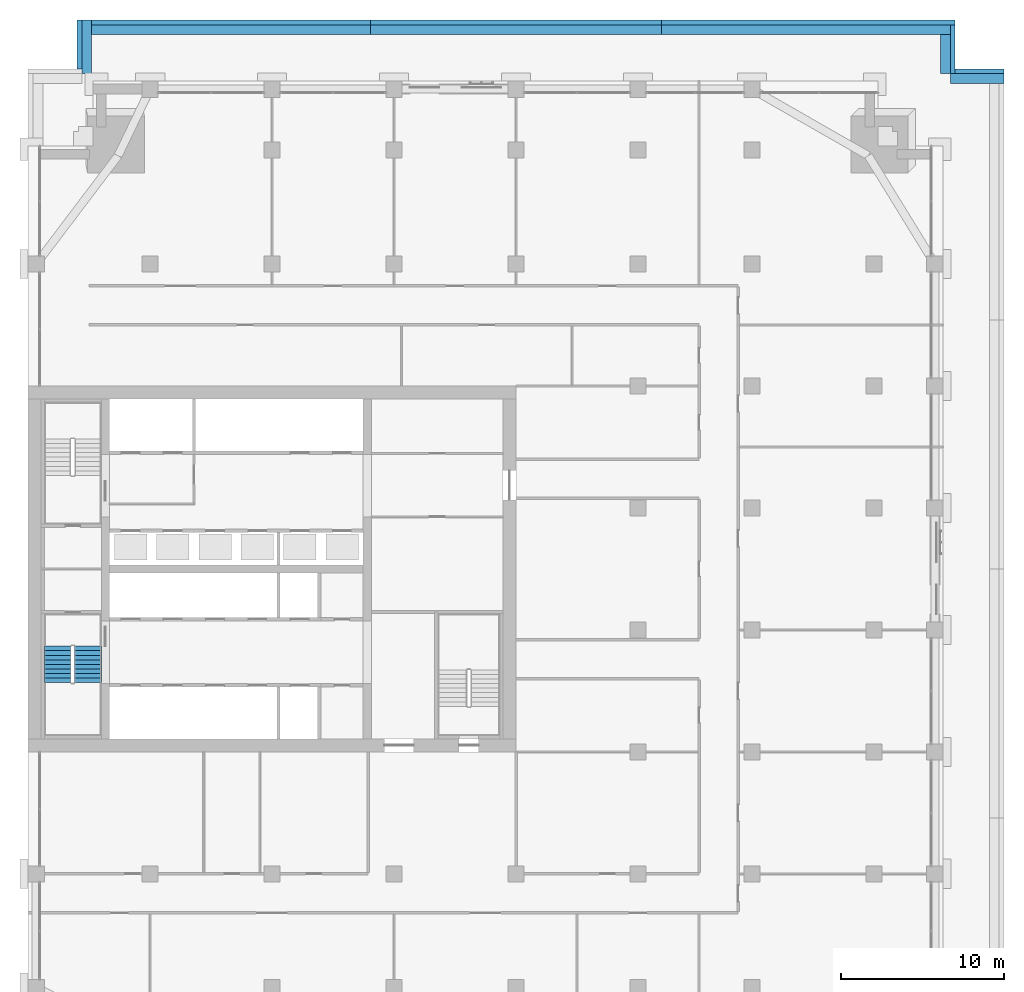
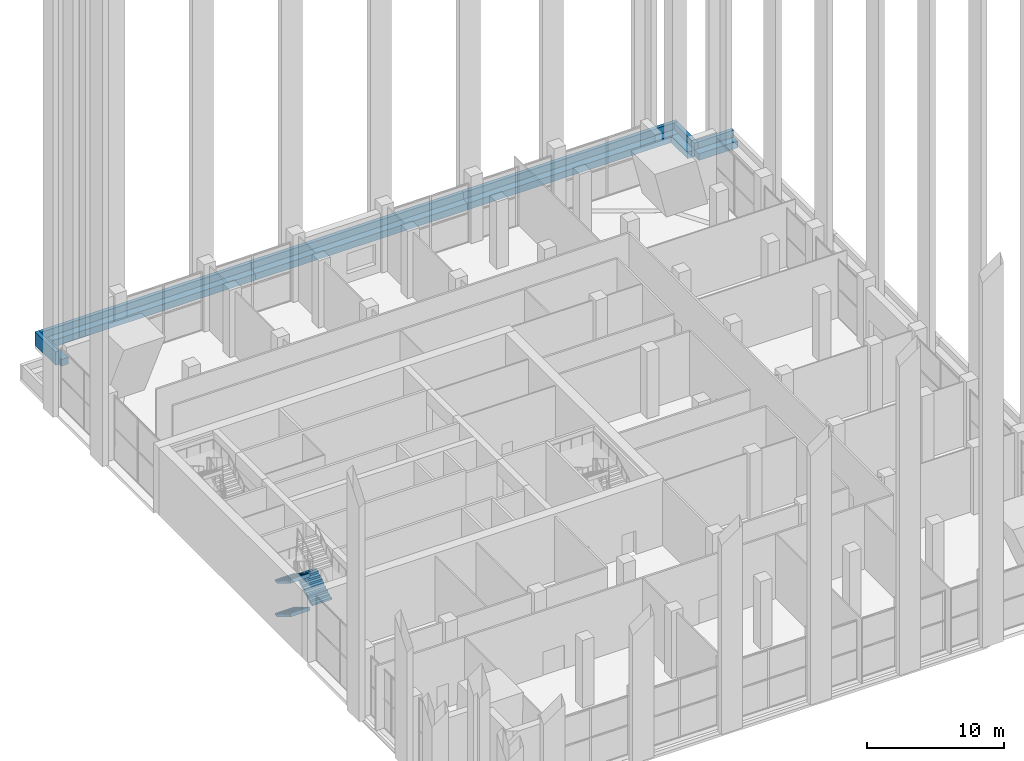
# One storey, part 16 of 23: 12 walls, 3 stair flights, 1 element without a shape of its own.
"""IFC4 building model written with IfcOpenShell, lengths in metres."""

from ifc_helpers import new_model, si_unit, direction, frame, frame_2d, origin, place, context, subcontext, project, spatial, polyline, rectangle, outline, extrude, material, layer, layer_set, type_object, element, aggregate, save


model = new_model("IFC4")

# Units and contexts
model_context = context("Model", 3, precision=1e-05, world=origin(), true_north=direction((0.0, 1.0)))
body_context = subcontext(model_context, "Body", "Model", "MODEL_VIEW")
ifc_project = project(units=[si_unit("LENGTHUNIT", "METRE"), si_unit("AREAUNIT", "SQUARE_METRE"), si_unit("VOLUMEUNIT", "CUBIC_METRE"), si_unit("PLANEANGLEUNIT", "RADIAN"), si_unit("MASSUNIT", "GRAM", prefix="KILO")], contexts=[model_context])

# Site, building, storey
site_placement = place(None, origin())
site = spatial("IfcSite", under=ifc_project, at=site_placement, CompositionType="ELEMENT")
building_placement = place(site_placement, origin())
building = spatial("IfcBuilding", under=site, at=building_placement, Name="Tamorin Gate", CompositionType="ELEMENT")
storey_placement = place(building_placement, frame((0.0, 0.0, 124.199951171875)))
storey = spatial("IfcBuildingStorey", under=building, at=storey_placement, Name="L30", CompositionType="ELEMENT", Elevation=124.199951171875)

# Walls
ifc_material_1 = material(Name="Precast concrete C40/50", Category="concrete")
ifc_layer_1 = layer(ifc_material_1, 0.300048828125)
ifc_layer_set_1 = layer_set([ifc_layer_1], Name="Terrace parapet 300")
wall_type_1 = type_object("IfcWallType", Name="Terrace parapet 300", PredefinedType="PARAPET", material=ifc_layer_set_1)
wall_1_placement = place(storey_placement, frame((33.14990234375, 105.0, 0.0), z_axis=(0.0, 0.0, 1.0), x_axis=(0.0, -1.0, 0.0)))
element("IfcWall", 1, at=wall_1_placement, inside=storey, type_object=wall_type_1, Name="Terrace parapet", PredefinedType="PARAPET", context=body_context, shape_type="SweptSolid", body=[
    extrude(rectangle(XDim=3.0, YDim=0.300048828125, at=frame_2d((1.5, 0.0))), origin(), (0.0, 0.0, 1.0), 1.199951171875),
])
wall_2_placement = place(storey_placement, frame((33.300048828125, 104.85009765625, 0.0), z_axis=(0.0, 0.0, 1.0), x_axis=(1.0, 0.0, 0.0)))
element("IfcWall", 2, at=wall_2_placement, inside=storey, type_object=wall_type_1, Name="Terrace parapet", PredefinedType="PARAPET", context=body_context, shape_type="SweptSolid", body=[
    extrude(rectangle(XDim=17.75, YDim=0.300048828125, at=frame_2d((8.875, 0.0))), origin(), (0.0, 0.0, 1.0), 1.199951171875),
])
wall_3_placement = place(storey_placement, frame((51.050048828125, 104.85009765625, 0.0), z_axis=(0.0, 0.0, 1.0), x_axis=(1.0, 0.0, 0.0)))
element("IfcWall", 3, at=wall_3_placement, inside=storey, type_object=wall_type_1, Name="Terrace parapet", PredefinedType="PARAPET", context=body_context, shape_type="SweptSolid", body=[
    extrude(rectangle(XDim=17.89990234375, YDim=0.300048828125, at=frame_2d((8.949951171875, 0.0))), origin(), (0.0, 0.0, 1.0), 1.199951171875),
])
wall_4_placement = place(storey_placement, frame((68.949951171875, 104.85009765625, 0.0), z_axis=(0.0, 0.0, 1.0), x_axis=(1.0, 0.0, 0.0)))
element("IfcWall", 4, at=wall_4_placement, inside=storey, type_object=wall_type_1, Name="Terrace parapet", PredefinedType="PARAPET", context=body_context, shape_type="SweptSolid", body=[
    extrude(rectangle(XDim=18.050048828125, YDim=0.300048828125, at=frame_2d((9.02490234375, 0.0))), origin(), (0.0, 0.0, 1.0), 1.199951171875),
])
for number, where, z_axis, x_axis, name in (
    (5, (86.85009765625, 101.699951171875, 0.0), (0.0, 0.0, 1.0), (0.0, 1.0, 0.0), "Terrace parapet"),
    (6, (87.0, 101.85009765625, 0.0), (0.0, 0.0, 1.0), (1.0, 0.0, 0.0), "Terrace parapet"),
):
    element("IfcWall", number, at=place(storey_placement, frame(where, z_axis=z_axis, x_axis=x_axis)), inside=storey, type_object=wall_type_1, Name=name, PredefinedType="PARAPET", context=body_context, shape_type="SweptSolid", body=[
        extrude(rectangle(XDim=3.0, YDim=0.300048828125, at=frame_2d((1.5, 0.0))), origin(), (0.0, 0.0, 1.0), 1.199951171875),
    ])
ifc_layer_2 = layer(ifc_material_1, 0.60009765625)
ifc_layer_set_2 = layer_set([ifc_layer_2], Name="Terrace planter wall 600")
wall_type_2 = type_object("IfcWallType", Name="Terrace planter wall 600", PredefinedType="STANDARD", material=ifc_layer_set_2)
wall_5_placement = place(storey_placement, frame((33.60009765625, 101.699951171875, 0.0), z_axis=(0.0, 0.0, 1.0), x_axis=(0.0, 1.0, 0.0)))
element("IfcWall", 7, at=wall_5_placement, inside=storey, type_object=wall_type_2, Name="PLANTER wall", PredefinedType="STANDARD", context=body_context, shape_type="SweptSolid", body=[
    extrude(rectangle(XDim=3.300048828125, YDim=0.60009765625, at=frame_2d((1.64990234375, 0.0))), origin(), (0.0, 0.0, 1.0), 0.60009765625),
])
wall_6_placement = place(storey_placement, frame((33.89990234375, 104.39990234375, 0.0), z_axis=(0.0, 0.0, 1.0), x_axis=(1.0, 0.0, 0.0)))
element("IfcWall", 8, at=wall_6_placement, inside=storey, type_object=wall_type_2, Name="PLANTER wall", PredefinedType="STANDARD", context=body_context, shape_type="SweptSolid", body=[
    extrude(rectangle(XDim=17.150146484375, YDim=0.60009765625, at=frame_2d((8.5751953125, 0.0))), origin(), (0.0, 0.0, 1.0), 0.60009765625),
])
wall_7_placement = place(storey_placement, frame((51.050048828125, 104.39990234375, 0.0), z_axis=(0.0, 0.0, 1.0), x_axis=(1.0, 0.0, 0.0)))
element("IfcWall", 9, at=wall_7_placement, inside=storey, type_object=wall_type_2, Name="PLANTER wall", PredefinedType="STANDARD", context=body_context, shape_type="SweptSolid", body=[
    extrude(rectangle(XDim=17.89990234375, YDim=0.60009765625, at=frame_2d((8.949951171875, 0.0))), origin(), (0.0, 0.0, 1.0), 0.60009765625),
])
wall_8_placement = place(storey_placement, frame((68.949951171875, 104.39990234375, 0.0), z_axis=(0.0, 0.0, 1.0), x_axis=(1.0, 0.0, 0.0)))
element("IfcWall", 10, at=wall_8_placement, inside=storey, type_object=wall_type_2, Name="PLANTER wall", PredefinedType="STANDARD", context=body_context, shape_type="SweptSolid", body=[
    extrude(rectangle(XDim=18.050048828125, YDim=0.60009765625, at=frame_2d((9.02490234375, 0.0))), origin(), (0.0, 0.0, 1.0), 0.60009765625),
])
wall_9_placement = place(storey_placement, frame((86.39990234375, 101.699951171875, 0.0), z_axis=(0.0, 0.0, 1.0), x_axis=(0.0, 1.0, 0.0)))
element("IfcWall", 11, at=wall_9_placement, inside=storey, type_object=wall_type_2, Name="PLANTER wall", PredefinedType="STANDARD", context=body_context, shape_type="SweptSolid", body=[
    extrude(rectangle(XDim=2.400146484375, YDim=0.60009765625, at=frame_2d((1.2001953125, 0.0))), origin(), (0.0, 0.0, 1.0), 0.60009765625),
])
wall_10_placement = place(storey_placement, frame((86.699951171875, 101.39990234375, 0.0), z_axis=(0.0, 0.0, 1.0), x_axis=(1.0, 0.0, 0.0)))
element("IfcWall", 12, at=wall_10_placement, inside=storey, type_object=wall_type_2, Name="PLANTER wall", PredefinedType="STANDARD", context=body_context, shape_type="SweptSolid", body=[
    extrude(rectangle(XDim=3.300048828125, YDim=0.60009765625, at=frame_2d((1.64990234375, 0.0))), origin(), (0.0, 0.0, 1.0), 0.60009765625),
])

# Stair, stair flights
ifc_material_2 = material(Name="Concrete C40/50", Category="concrete")
stair_type = type_object("IfcStairType", Name="Exit stair", PredefinedType="HALF_TURN_STAIR", material=ifc_material_2)
stair_placement = place(storey_placement, origin())
stair = element("IfcStair", 13, at=stair_placement, inside=storey, type_object=stair_type, Name="L30 stair ST1", PredefinedType="HALF_TURN_STAIR")
stair_flight_type = type_object("IfcStairFlightType", Name="Exit stair flight", PredefinedType="STRAIGHT", material=ifc_material_2)
stair_flight_1_placement = place(storey_placement, frame((31.824951171875, 66.5, 0.0), z_axis=(0.0, 0.0, 1.0), x_axis=(0.0, -1.0, 0.0)))
stair_flight_1 = element("IfcStairFlight", 14, at=stair_flight_1_placement, type_object=stair_flight_type, Name="ST1 flight 1", NumberOfRisers=9, NumberOfTreads=8, PredefinedType="STRAIGHT", RiserHeight=0.166666667, TreadLength=0.28, context=body_context, shape_type="SweptSolid", body=[
    extrude(outline(polyline([(-0.00048828125, 0.0), (-0.00048828125, 0.001708984375), (-0.00048828125, 0.00341796875), (-0.00048828125, 0.0048828125), (-0.00048828125, 0.006591796875), (-0.00048828125, 0.00830078125), (-0.00048828125, 0.010009765625), (-0.00048828125, 0.011474609375), (-0.00048828125, 0.01318359375), (-0.00048828125, 0.014892578125), (-0.00048828125, 0.0166015625), (-0.00048828125, 0.01806640625), (-0.00048828125, 0.019775390625), (-0.00048828125, 0.021484375), (-0.00048828125, 0.023193359375), (-0.00048828125, 0.024658203125), (-0.00048828125, 0.0263671875), (-0.00048828125, 0.028076171875), (-0.00048828125, 0.02978515625), (-0.00048828125, 0.03125), (-0.00048828125, 0.032958984375), (-0.00048828125, 0.03466796875), (-0.00048828125, 0.036376953125), (-0.00048828125, 0.037841796875), (-0.00048828125, 0.03955078125), (-0.00048828125, 0.041259765625), (-0.00048828125, 0.04296875), (-0.00048828125, 0.04443359375), (-0.00048828125, 0.046142578125), (-0.00048828125, 0.0478515625), (-0.00048828125, 0.049560546875), (-0.00048828125, 0.05126953125), (-0.00048828125, 0.052734375), (-0.00048828125, 0.054443359375), (-0.00048828125, 0.05615234375), (-0.00048828125, 0.057861328125), (-0.00048828125, 0.059326171875), (-0.00048828125, 0.06103515625), (-0.00048828125, 0.062744140625), (-0.00048828125, 0.064453125), (-0.00048828125, 0.06591796875), (-0.00048828125, 0.067626953125), (-0.00048828125, 0.0693359375), (-0.00048828125, 0.071044921875), (-0.00048828125, 0.072509765625), (-0.00048828125, 0.07421875), (-0.00048828125, 0.075927734375), (-0.00048828125, 0.07763671875), (-0.00048828125, 0.0791015625), (-0.00048828125, 0.080810546875), (-0.00048828125, 0.08251953125), (-0.00048828125, 0.084228515625), (-0.00048828125, 0.085693359375), (-0.00048828125, 0.08740234375), (-0.00048828125, 0.089111328125), (-0.00048828125, 0.0908203125), (-0.00048828125, 0.092529296875), (-0.00048828125, 0.093994140625), (-0.00048828125, 0.095703125), (-0.00048828125, 0.097412109375), (-0.00048828125, 0.09912109375), (-0.00048828125, 0.1005859375), (-0.00048828125, 0.102294921875), (-0.00048828125, 0.10400390625), (-0.00048828125, 0.105712890625), (-0.00048828125, 0.107177734375), (-0.00048828125, 0.10888671875), (-0.00048828125, 0.110595703125), (-0.00048828125, 0.1123046875), (-0.00048828125, 0.11376953125), (-0.00048828125, 0.115478515625), (-0.00048828125, 0.1171875), (-0.00048828125, 0.118896484375), (-0.00048828125, 0.120361328125), (-0.00048828125, 0.1220703125), (-0.00048828125, 0.123779296875), (-0.00048828125, 0.12548828125), (-0.00048828125, 0.126953125), (-0.00048828125, 0.128662109375), (-0.00048828125, 0.13037109375), (-0.00048828125, 0.132080078125), (-0.00048828125, 0.133544921875), (-0.00048828125, 0.13525390625), (-0.00048828125, 0.136962890625), (-0.00048828125, 0.138671875), (-0.00048828125, 0.140380859375), (-0.00048828125, 0.141845703125), (-0.00048828125, 0.1435546875), (-0.00048828125, 0.145263671875), (-0.00048828125, 0.14697265625), (-0.00048828125, 0.1484375), (-0.00048828125, 0.150146484375), (-0.00048828125, 0.15185546875), (-0.00048828125, 0.153564453125), (-0.00048828125, 0.155029296875), (-0.00048828125, 0.15673828125), (-0.00048828125, 0.158447265625), (-0.00048828125, 0.16015625), (-0.00048828125, 0.16162109375), (-0.00048828125, 0.163330078125), (-0.00048828125, 0.1650390625), (-0.00048828125, 0.166748046875), (0.280029296875, 0.166748046875), (0.280029296875, 0.333251953125), (0.56005859375, 0.333251953125), (0.56005859375, 0.5), (0.840087890625, 0.5), (0.840087890625, 0.666748046875), (1.1201171875, 0.666748046875), (1.1201171875, 0.833251953125), (1.39990234375, 0.833251953125), (1.39990234375, 1.0), (1.679931640625, 1.0), (1.679931640625, 1.166748046875), (1.9599609375, 1.166748046875), (1.9599609375, 1.333251953125), (2.239990234375, 1.333251953125), (2.239990234375, 1.5), (2.240478515625, 1.5), (2.240478515625, 1.49658203125), (2.240478515625, 1.4931640625), (2.240478515625, 1.48974609375), (2.240478515625, 1.486572265625), (2.240478515625, 1.483154296875), (2.240478515625, 1.479736328125), (2.240478515625, 1.476318359375), (2.240478515625, 1.472900390625), (2.240478515625, 1.469482421875), (2.240478515625, 1.46630859375), (2.240478515625, 1.462890625), (2.240478515625, 1.45947265625), (2.240478515625, 1.4560546875), (2.240478515625, 1.45263671875), (2.240478515625, 1.44921875), (2.240478515625, 1.446044921875), (2.240478515625, 1.442626953125), (2.240478515625, 1.439208984375), (2.240478515625, 1.435791015625), (2.240478515625, 1.432373046875), (2.240478515625, 1.428955078125), (2.240478515625, 1.42578125), (2.240478515625, 1.42236328125), (2.240478515625, 1.4189453125), (2.240478515625, 1.41552734375), (2.240478515625, 1.412109375), (2.240478515625, 1.40869140625), (2.240478515625, 1.405517578125), (2.240478515625, 1.402099609375), (2.240478515625, 1.398681640625), (2.240478515625, 1.395263671875), (2.240478515625, 1.391845703125), (2.240478515625, 1.388427734375), (2.240478515625, 1.38525390625), (2.240478515625, 1.3818359375), (2.240478515625, 1.37841796875), (2.240478515625, 1.375), (2.240478515625, 1.37158203125), (2.240478515625, 1.3681640625), (2.240478515625, 1.364990234375), (2.240478515625, 1.361572265625), (2.240478515625, 1.358154296875), (2.240478515625, 1.354736328125), (2.240478515625, 1.351318359375), (2.240478515625, 1.347900390625), (2.240478515625, 1.3447265625), (2.240478515625, 1.34130859375), (2.240478515625, 1.337890625), (2.240478515625, 1.33447265625), (2.240478515625, 1.3310546875), (2.240478515625, 1.32763671875), (2.240478515625, 1.324462890625), (2.240478515625, 1.321044921875), (2.240478515625, 1.317626953125), (2.240478515625, 1.314208984375), (2.240478515625, 1.310791015625), (2.240478515625, 1.307373046875), (2.240478515625, 1.30419921875), (2.240478515625, 1.30078125), (2.240478515625, 1.29736328125), (2.240478515625, 1.2939453125), (2.240478515625, 1.29052734375), (2.240478515625, 1.287109375), (2.240478515625, 1.283935546875), (2.240478515625, 1.280517578125), (2.240478515625, 1.277099609375), (2.240478515625, 1.273681640625), (2.240478515625, 1.270263671875), (2.240478515625, 1.266845703125), (2.240478515625, 1.263671875), (2.240478515625, 1.26025390625), (2.240478515625, 1.2568359375), (2.240478515625, 1.25341796875), (2.240478515625, 1.25), (2.240478515625, 1.24658203125), (2.240478515625, 1.243408203125), (2.240478515625, 1.239990234375), (2.240478515625, 1.236572265625), (2.240478515625, 1.233154296875), (2.240478515625, 1.229736328125), (2.240478515625, 1.226318359375), (2.240478515625, 1.22314453125), (2.240478515625, 1.2197265625), (2.240478515625, 1.21630859375), (2.240478515625, 1.212890625), (2.240478515625, 1.20947265625), (2.240478515625, 1.2060546875), (2.240478515625, 1.202880859375), (2.240478515625, 1.199462890625), (2.240478515625, 1.196044921875), (2.240478515625, 1.192626953125), (2.240478515625, 1.189208984375), (2.240478515625, 1.185791015625), (2.240478515625, 1.1826171875), (2.240478515625, 1.17919921875), (2.240478515625, 1.17578125), (2.240478515625, 1.17236328125), (2.240478515625, 1.1689453125), (2.240478515625, 1.16552734375), (2.240478515625, 1.162353515625), (2.240478515625, 1.158935546875), (2.239990234375, 1.158935546875), (0.29296875, 0.0), (-0.00048828125, 0.0)])), frame((0.0, 0.824951171875, 0.0), z_axis=(0.0, -1.0, 0.0), x_axis=(1.0, 0.0, 0.0)), (0.0, 0.0, 1.0), 1.64990234375),
])
stair_flight_2_placement = place(storey_placement, frame((33.675048828125, 64.260009765625, 1.5), z_axis=(0.0, 0.0, 1.0), x_axis=(0.0, 1.0, 0.0)))
stair_flight_2 = element("IfcStairFlight", 15, at=stair_flight_2_placement, type_object=stair_flight_type, Name="ST1 flight 2", NumberOfRisers=9, NumberOfTreads=8, PredefinedType="STRAIGHT", RiserHeight=0.166666667, TreadLength=0.28, context=body_context, shape_type="SweptSolid", body=[
    extrude(outline(polyline([(-0.00048828125, 0.0), (-0.00048828125, 0.001708984375), (-0.00048828125, 0.00341796875), (-0.00048828125, 0.0048828125), (-0.00048828125, 0.006591796875), (-0.00048828125, 0.00830078125), (-0.00048828125, 0.010009765625), (-0.00048828125, 0.011474609375), (-0.00048828125, 0.01318359375), (-0.00048828125, 0.014892578125), (-0.00048828125, 0.0166015625), (-0.00048828125, 0.01806640625), (-0.00048828125, 0.019775390625), (-0.00048828125, 0.021484375), (-0.00048828125, 0.023193359375), (-0.00048828125, 0.024658203125), (-0.00048828125, 0.0263671875), (-0.00048828125, 0.028076171875), (-0.00048828125, 0.02978515625), (-0.00048828125, 0.03125), (-0.00048828125, 0.032958984375), (-0.00048828125, 0.03466796875), (-0.00048828125, 0.036376953125), (-0.00048828125, 0.037841796875), (-0.00048828125, 0.03955078125), (-0.00048828125, 0.041259765625), (-0.00048828125, 0.04296875), (-0.00048828125, 0.04443359375), (-0.00048828125, 0.046142578125), (-0.00048828125, 0.0478515625), (-0.00048828125, 0.049560546875), (-0.00048828125, 0.05126953125), (-0.00048828125, 0.052734375), (-0.00048828125, 0.054443359375), (-0.00048828125, 0.05615234375), (-0.00048828125, 0.057861328125), (-0.00048828125, 0.059326171875), (-0.00048828125, 0.06103515625), (-0.00048828125, 0.062744140625), (-0.00048828125, 0.064453125), (-0.00048828125, 0.06591796875), (-0.00048828125, 0.067626953125), (-0.00048828125, 0.0693359375), (-0.00048828125, 0.071044921875), (-0.00048828125, 0.072509765625), (-0.00048828125, 0.07421875), (-0.00048828125, 0.075927734375), (-0.00048828125, 0.07763671875), (-0.00048828125, 0.0791015625), (-0.00048828125, 0.080810546875), (-0.00048828125, 0.08251953125), (-0.00048828125, 0.084228515625), (-0.00048828125, 0.085693359375), (-0.00048828125, 0.08740234375), (-0.00048828125, 0.089111328125), (-0.00048828125, 0.0908203125), (-0.00048828125, 0.092529296875), (-0.00048828125, 0.093994140625), (-0.00048828125, 0.095703125), (-0.00048828125, 0.097412109375), (-0.00048828125, 0.09912109375), (-0.00048828125, 0.1005859375), (-0.00048828125, 0.102294921875), (-0.00048828125, 0.10400390625), (-0.00048828125, 0.105712890625), (-0.00048828125, 0.107177734375), (-0.00048828125, 0.10888671875), (-0.00048828125, 0.110595703125), (-0.00048828125, 0.1123046875), (-0.00048828125, 0.11376953125), (-0.00048828125, 0.115478515625), (-0.00048828125, 0.1171875), (-0.00048828125, 0.118896484375), (-0.00048828125, 0.120361328125), (-0.00048828125, 0.1220703125), (-0.00048828125, 0.123779296875), (-0.00048828125, 0.12548828125), (-0.00048828125, 0.126953125), (-0.00048828125, 0.128662109375), (-0.00048828125, 0.13037109375), (-0.00048828125, 0.132080078125), (-0.00048828125, 0.133544921875), (-0.00048828125, 0.13525390625), (-0.00048828125, 0.136962890625), (-0.00048828125, 0.138671875), (-0.00048828125, 0.140380859375), (-0.00048828125, 0.141845703125), (-0.00048828125, 0.1435546875), (-0.00048828125, 0.145263671875), (-0.00048828125, 0.14697265625), (-0.00048828125, 0.1484375), (-0.00048828125, 0.150146484375), (-0.00048828125, 0.15185546875), (-0.00048828125, 0.153564453125), (-0.00048828125, 0.155029296875), (-0.00048828125, 0.15673828125), (-0.00048828125, 0.158447265625), (-0.00048828125, 0.16015625), (-0.00048828125, 0.16162109375), (-0.00048828125, 0.163330078125), (-0.00048828125, 0.1650390625), (-0.00048828125, 0.166748046875), (0.280029296875, 0.166748046875), (0.280029296875, 0.333251953125), (0.56005859375, 0.333251953125), (0.56005859375, 0.5), (0.840087890625, 0.5), (0.840087890625, 0.666748046875), (1.1201171875, 0.666748046875), (1.1201171875, 0.833251953125), (1.39990234375, 0.833251953125), (1.39990234375, 1.0), (1.679931640625, 1.0), (1.679931640625, 1.166748046875), (1.9599609375, 1.166748046875), (1.9599609375, 1.333251953125), (2.239990234375, 1.333251953125), (2.239990234375, 1.5), (2.240478515625, 1.5), (2.240478515625, 1.49658203125), (2.240478515625, 1.4931640625), (2.240478515625, 1.48974609375), (2.240478515625, 1.486572265625), (2.240478515625, 1.483154296875), (2.240478515625, 1.479736328125), (2.240478515625, 1.476318359375), (2.240478515625, 1.472900390625), (2.240478515625, 1.469482421875), (2.240478515625, 1.46630859375), (2.240478515625, 1.462890625), (2.240478515625, 1.45947265625), (2.240478515625, 1.4560546875), (2.240478515625, 1.45263671875), (2.240478515625, 1.44921875), (2.240478515625, 1.446044921875), (2.240478515625, 1.442626953125), (2.240478515625, 1.439208984375), (2.240478515625, 1.435791015625), (2.240478515625, 1.432373046875), (2.240478515625, 1.428955078125), (2.240478515625, 1.42578125), (2.240478515625, 1.42236328125), (2.240478515625, 1.4189453125), (2.240478515625, 1.41552734375), (2.240478515625, 1.412109375), (2.240478515625, 1.40869140625), (2.240478515625, 1.405517578125), (2.240478515625, 1.402099609375), (2.240478515625, 1.398681640625), (2.240478515625, 1.395263671875), (2.240478515625, 1.391845703125), (2.240478515625, 1.388427734375), (2.240478515625, 1.38525390625), (2.240478515625, 1.3818359375), (2.240478515625, 1.37841796875), (2.240478515625, 1.375), (2.240478515625, 1.37158203125), (2.240478515625, 1.3681640625), (2.240478515625, 1.364990234375), (2.240478515625, 1.361572265625), (2.240478515625, 1.358154296875), (2.240478515625, 1.354736328125), (2.240478515625, 1.351318359375), (2.240478515625, 1.347900390625), (2.240478515625, 1.3447265625), (2.240478515625, 1.34130859375), (2.240478515625, 1.337890625), (2.240478515625, 1.33447265625), (2.240478515625, 1.3310546875), (2.240478515625, 1.32763671875), (2.240478515625, 1.324462890625), (2.240478515625, 1.321044921875), (2.240478515625, 1.317626953125), (2.240478515625, 1.314208984375), (2.240478515625, 1.310791015625), (2.240478515625, 1.307373046875), (2.240478515625, 1.30419921875), (2.240478515625, 1.30078125), (2.240478515625, 1.29736328125), (2.240478515625, 1.2939453125), (2.240478515625, 1.29052734375), (2.240478515625, 1.287109375), (2.240478515625, 1.283935546875), (2.240478515625, 1.280517578125), (2.240478515625, 1.277099609375), (2.240478515625, 1.273681640625), (2.240478515625, 1.270263671875), (2.240478515625, 1.266845703125), (2.240478515625, 1.263671875), (2.240478515625, 1.26025390625), (2.240478515625, 1.2568359375), (2.240478515625, 1.25341796875), (2.240478515625, 1.25), (2.240478515625, 1.24658203125), (2.240478515625, 1.243408203125), (2.240478515625, 1.239990234375), (2.240478515625, 1.236572265625), (2.240478515625, 1.233154296875), (2.240478515625, 1.229736328125), (2.240478515625, 1.226318359375), (2.240478515625, 1.22314453125), (2.240478515625, 1.2197265625), (2.240478515625, 1.21630859375), (2.240478515625, 1.212890625), (2.240478515625, 1.20947265625), (2.240478515625, 1.2060546875), (2.240478515625, 1.202880859375), (2.240478515625, 1.199462890625), (2.240478515625, 1.196044921875), (2.240478515625, 1.192626953125), (2.240478515625, 1.189208984375), (2.240478515625, 1.185791015625), (2.240478515625, 1.1826171875), (2.240478515625, 1.17919921875), (2.240478515625, 1.17578125), (2.240478515625, 1.17236328125), (2.240478515625, 1.1689453125), (2.240478515625, 1.16552734375), (2.240478515625, 1.162353515625), (2.240478515625, 1.158935546875), (2.239990234375, 1.158935546875), (0.29296875, 0.0), (-0.00048828125, 0.0)])), frame((0.0, 0.824951171875, 0.0), z_axis=(0.0, -1.0, 0.0), x_axis=(1.0, 0.0, 0.0)), (0.0, 0.0, 1.0), 1.64990234375),
])
stair_flight_3_placement = place(storey_placement, frame((31.824951171875, 66.5, 3.0), z_axis=(0.0, 0.0, 1.0), x_axis=(0.0, -1.0, 0.0)))
stair_flight_3 = element("IfcStairFlight", 16, at=stair_flight_3_placement, type_object=stair_flight_type, Name="ST1 flight 3", NumberOfRisers=9, NumberOfTreads=8, PredefinedType="STRAIGHT", RiserHeight=0.166666667, TreadLength=0.28, context=body_context, shape_type="SweptSolid", body=[
    extrude(outline(polyline([(-0.00048828125, 0.0), (-0.00048828125, 0.001708984375), (-0.00048828125, 0.00341796875), (-0.00048828125, 0.0048828125), (-0.00048828125, 0.006591796875), (-0.00048828125, 0.00830078125), (-0.00048828125, 0.010009765625), (-0.00048828125, 0.011474609375), (-0.00048828125, 0.01318359375), (-0.00048828125, 0.014892578125), (-0.00048828125, 0.0166015625), (-0.00048828125, 0.01806640625), (-0.00048828125, 0.019775390625), (-0.00048828125, 0.021484375), (-0.00048828125, 0.023193359375), (-0.00048828125, 0.024658203125), (-0.00048828125, 0.0263671875), (-0.00048828125, 0.028076171875), (-0.00048828125, 0.02978515625), (-0.00048828125, 0.03125), (-0.00048828125, 0.032958984375), (-0.00048828125, 0.03466796875), (-0.00048828125, 0.036376953125), (-0.00048828125, 0.037841796875), (-0.00048828125, 0.03955078125), (-0.00048828125, 0.041259765625), (-0.00048828125, 0.04296875), (-0.00048828125, 0.04443359375), (-0.00048828125, 0.046142578125), (-0.00048828125, 0.0478515625), (-0.00048828125, 0.049560546875), (-0.00048828125, 0.05126953125), (-0.00048828125, 0.052734375), (-0.00048828125, 0.054443359375), (-0.00048828125, 0.05615234375), (-0.00048828125, 0.057861328125), (-0.00048828125, 0.059326171875), (-0.00048828125, 0.06103515625), (-0.00048828125, 0.062744140625), (-0.00048828125, 0.064453125), (-0.00048828125, 0.06591796875), (-0.00048828125, 0.067626953125), (-0.00048828125, 0.0693359375), (-0.00048828125, 0.071044921875), (-0.00048828125, 0.072509765625), (-0.00048828125, 0.07421875), (-0.00048828125, 0.075927734375), (-0.00048828125, 0.07763671875), (-0.00048828125, 0.0791015625), (-0.00048828125, 0.080810546875), (-0.00048828125, 0.08251953125), (-0.00048828125, 0.084228515625), (-0.00048828125, 0.085693359375), (-0.00048828125, 0.08740234375), (-0.00048828125, 0.089111328125), (-0.00048828125, 0.0908203125), (-0.00048828125, 0.092529296875), (-0.00048828125, 0.093994140625), (-0.00048828125, 0.095703125), (-0.00048828125, 0.097412109375), (-0.00048828125, 0.09912109375), (-0.00048828125, 0.1005859375), (-0.00048828125, 0.102294921875), (-0.00048828125, 0.10400390625), (-0.00048828125, 0.105712890625), (-0.00048828125, 0.107177734375), (-0.00048828125, 0.10888671875), (-0.00048828125, 0.110595703125), (-0.00048828125, 0.1123046875), (-0.00048828125, 0.11376953125), (-0.00048828125, 0.115478515625), (-0.00048828125, 0.1171875), (-0.00048828125, 0.118896484375), (-0.00048828125, 0.120361328125), (-0.00048828125, 0.1220703125), (-0.00048828125, 0.123779296875), (-0.00048828125, 0.12548828125), (-0.00048828125, 0.126953125), (-0.00048828125, 0.128662109375), (-0.00048828125, 0.13037109375), (-0.00048828125, 0.132080078125), (-0.00048828125, 0.133544921875), (-0.00048828125, 0.13525390625), (-0.00048828125, 0.136962890625), (-0.00048828125, 0.138671875), (-0.00048828125, 0.140380859375), (-0.00048828125, 0.141845703125), (-0.00048828125, 0.1435546875), (-0.00048828125, 0.145263671875), (-0.00048828125, 0.14697265625), (-0.00048828125, 0.1484375), (-0.00048828125, 0.150146484375), (-0.00048828125, 0.15185546875), (-0.00048828125, 0.153564453125), (-0.00048828125, 0.155029296875), (-0.00048828125, 0.15673828125), (-0.00048828125, 0.158447265625), (-0.00048828125, 0.16015625), (-0.00048828125, 0.16162109375), (-0.00048828125, 0.163330078125), (-0.00048828125, 0.1650390625), (-0.00048828125, 0.166748046875), (0.280029296875, 0.166748046875), (0.280029296875, 0.333251953125), (0.56005859375, 0.333251953125), (0.56005859375, 0.5), (0.840087890625, 0.5), (0.840087890625, 0.666748046875), (1.1201171875, 0.666748046875), (1.1201171875, 0.833251953125), (1.39990234375, 0.833251953125), (1.39990234375, 1.0), (1.679931640625, 1.0), (1.679931640625, 1.166748046875), (1.9599609375, 1.166748046875), (1.9599609375, 1.333251953125), (2.239990234375, 1.333251953125), (2.239990234375, 1.5), (2.240478515625, 1.5), (2.240478515625, 1.49658203125), (2.240478515625, 1.4931640625), (2.240478515625, 1.48974609375), (2.240478515625, 1.486572265625), (2.240478515625, 1.483154296875), (2.240478515625, 1.479736328125), (2.240478515625, 1.476318359375), (2.240478515625, 1.472900390625), (2.240478515625, 1.469482421875), (2.240478515625, 1.46630859375), (2.240478515625, 1.462890625), (2.240478515625, 1.45947265625), (2.240478515625, 1.4560546875), (2.240478515625, 1.45263671875), (2.240478515625, 1.44921875), (2.240478515625, 1.446044921875), (2.240478515625, 1.442626953125), (2.240478515625, 1.439208984375), (2.240478515625, 1.435791015625), (2.240478515625, 1.432373046875), (2.240478515625, 1.428955078125), (2.240478515625, 1.42578125), (2.240478515625, 1.42236328125), (2.240478515625, 1.4189453125), (2.240478515625, 1.41552734375), (2.240478515625, 1.412109375), (2.240478515625, 1.40869140625), (2.240478515625, 1.405517578125), (2.240478515625, 1.402099609375), (2.240478515625, 1.398681640625), (2.240478515625, 1.395263671875), (2.240478515625, 1.391845703125), (2.240478515625, 1.388427734375), (2.240478515625, 1.38525390625), (2.240478515625, 1.3818359375), (2.240478515625, 1.37841796875), (2.240478515625, 1.375), (2.240478515625, 1.37158203125), (2.240478515625, 1.3681640625), (2.240478515625, 1.364990234375), (2.240478515625, 1.361572265625), (2.240478515625, 1.358154296875), (2.240478515625, 1.354736328125), (2.240478515625, 1.351318359375), (2.240478515625, 1.347900390625), (2.240478515625, 1.3447265625), (2.240478515625, 1.34130859375), (2.240478515625, 1.337890625), (2.240478515625, 1.33447265625), (2.240478515625, 1.3310546875), (2.240478515625, 1.32763671875), (2.240478515625, 1.324462890625), (2.240478515625, 1.321044921875), (2.240478515625, 1.317626953125), (2.240478515625, 1.314208984375), (2.240478515625, 1.310791015625), (2.240478515625, 1.307373046875), (2.240478515625, 1.30419921875), (2.240478515625, 1.30078125), (2.240478515625, 1.29736328125), (2.240478515625, 1.2939453125), (2.240478515625, 1.29052734375), (2.240478515625, 1.287109375), (2.240478515625, 1.283935546875), (2.240478515625, 1.280517578125), (2.240478515625, 1.277099609375), (2.240478515625, 1.273681640625), (2.240478515625, 1.270263671875), (2.240478515625, 1.266845703125), (2.240478515625, 1.263671875), (2.240478515625, 1.26025390625), (2.240478515625, 1.2568359375), (2.240478515625, 1.25341796875), (2.240478515625, 1.25), (2.240478515625, 1.24658203125), (2.240478515625, 1.243408203125), (2.240478515625, 1.239990234375), (2.240478515625, 1.236572265625), (2.240478515625, 1.233154296875), (2.240478515625, 1.229736328125), (2.240478515625, 1.226318359375), (2.240478515625, 1.22314453125), (2.240478515625, 1.2197265625), (2.240478515625, 1.21630859375), (2.240478515625, 1.212890625), (2.240478515625, 1.20947265625), (2.240478515625, 1.2060546875), (2.240478515625, 1.202880859375), (2.240478515625, 1.199462890625), (2.240478515625, 1.196044921875), (2.240478515625, 1.192626953125), (2.240478515625, 1.189208984375), (2.240478515625, 1.185791015625), (2.240478515625, 1.1826171875), (2.240478515625, 1.17919921875), (2.240478515625, 1.17578125), (2.240478515625, 1.17236328125), (2.240478515625, 1.1689453125), (2.240478515625, 1.16552734375), (2.240478515625, 1.162353515625), (2.240478515625, 1.158935546875), (2.239990234375, 1.158935546875), (0.29296875, 0.0), (-0.00048828125, 0.0)])), frame((0.0, 0.824951171875, 0.0), z_axis=(0.0, -1.0, 0.0), x_axis=(1.0, 0.0, 0.0)), (0.0, 0.0, 1.0), 1.64990234375),
])
aggregate(stair, [stair_flight_1, stair_flight_2, stair_flight_3])

save(model, "model.ifc")
